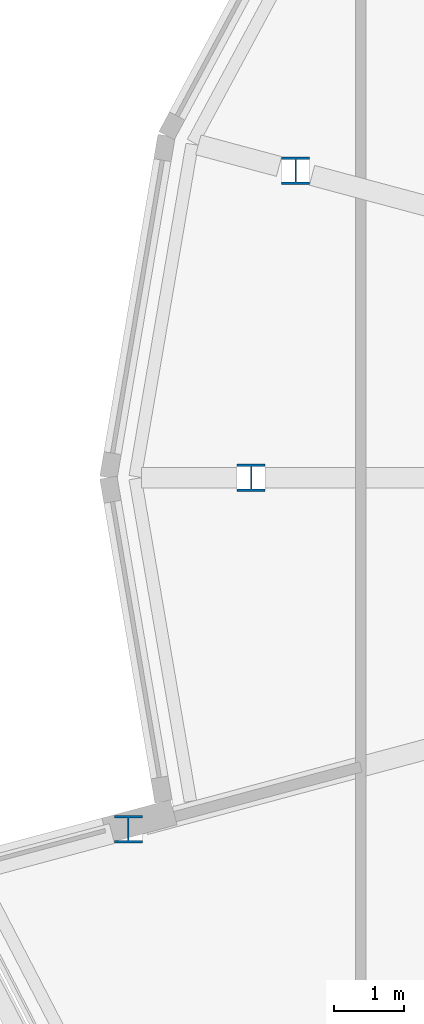
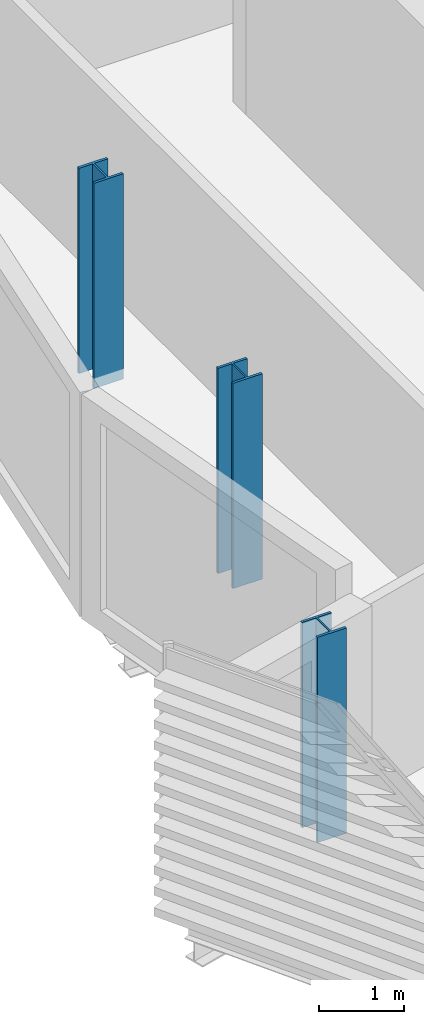
# One storey, part 1 of 37: 3 columns.
"""IFC4 building model written with IfcOpenShell, lengths in metres."""

import ifcopenshell
import ifcopenshell.guid

model = None  # the IFC model being written
_history = None  # IfcOwnerHistory: only IFC2X3 demands one
_inside = {}  # id of a spatial element -> (the spatial element, [elements in it])
_under = {}  # id of a project, library or spatial element -> (it, [spatial elements below it])
_declared = {}  # id of a project -> (the project, [libraries it declares])
_typed = {}  # id of a type object -> (the type object, [elements of that type])
_made_of = {}  # id of a material, layer set ... -> (it, [elements and type objects made of it])


def new_model(schema):
    """Start an empty IFC model of exactly this schema.

    Asked for "IFC4X3", IfcOpenShell would pick the latest addendum, in which some entities
    have other attributes; the version numbers below select the first issue.
    IFC2X3 requires an IfcOwnerHistory on every rooted entity: one is made here for all.
    """
    global model, _history
    if schema == "IFC4X3":
        model = ifcopenshell.file(schema_version=(4, 3, 0, 0))
    else:
        model = ifcopenshell.file(schema=schema)
    _inside.clear()
    _under.clear()
    _declared.clear()
    _typed.clear()
    _made_of.clear()
    _history = None
    if model.schema == "IFC2X3":
        org = make("IfcOrganization", Name="unknown")
        user = make(
            "IfcPersonAndOrganization",
            ThePerson=make("IfcPerson", FamilyName="unknown"),
            TheOrganization=org,
        )
        app = make(
            "IfcApplication",
            ApplicationDeveloper=org,
            Version="unknown",
            ApplicationFullName="unknown",
            ApplicationIdentifier="unknown",
        )
        _history = make(
            "IfcOwnerHistory",
            OwningUser=user,
            OwningApplication=app,
            ChangeAction="ADDED",
            CreationDate=0,
        )
    return model


def make(cls, **values):
    """One entity of the class cls with the attributes given. An attribute that is None is left unset."""
    return model.create_entity(
        cls, **{name: value for name, value in values.items() if value is not None}
    )


def rooted(cls, **values):
    """An entity with a GlobalId (a new one), such as an element, a storey or a relation."""
    return make(cls, GlobalId=ifcopenshell.guid.new(), OwnerHistory=_history, **values)


def si_unit(unit_type, name, prefix=None):
    """IfcSIUnit, for example si_unit("LENGTHUNIT", "METRE", prefix="MILLI")."""
    return make("IfcSIUnit", UnitType=unit_type, Prefix=prefix, Name=name)


def assignment(units):
    """IfcUnitAssignment: the units of a project."""
    return None if units is None else make("IfcUnitAssignment", Units=units)


def point(xyz):
    """IfcCartesianPoint."""
    return None if xyz is None else make("IfcCartesianPoint", Coordinates=xyz)


def direction(xyz):
    """IfcDirection."""
    return None if xyz is None else make("IfcDirection", DirectionRatios=xyz)


def frame(location, z_axis=None, x_axis=None):
    """IfcAxis2Placement3D, a coordinate frame: its origin and axes. An axis left out is left unset."""
    return make(
        "IfcAxis2Placement3D",
        Location=point(location),
        Axis=direction(z_axis),
        RefDirection=direction(x_axis),
    )


def frame_2d(location, x_axis=None):
    """IfcAxis2Placement2D, a coordinate frame in the plane: its origin and x axis."""
    return make(
        "IfcAxis2Placement2D", Location=point(location), RefDirection=direction(x_axis)
    )


def origin():
    """The frame at (0, 0, 0) with its axes left unset."""
    return frame((0.0, 0.0, 0.0))


def origin_2d():
    """The frame at (0, 0) in the plane with its x axis left unset."""
    return frame_2d((0.0, 0.0))


def place(relative_to, where):
    """IfcLocalPlacement: puts the frame where relative to a parent placement (None: the world)."""
    return make(
        "IfcLocalPlacement", PlacementRelTo=relative_to, RelativePlacement=where
    )


def context(
    kind, dimensions, precision=None, world=None, true_north=None, identifier=None
):
    """IfcGeometricRepresentationContext, for example the 3D "Model" context."""
    return make(
        "IfcGeometricRepresentationContext",
        ContextIdentifier=identifier,
        ContextType=kind,
        CoordinateSpaceDimension=dimensions,
        Precision=precision,
        WorldCoordinateSystem=world,
        TrueNorth=true_north,
    )


def subcontext(parent, identifier, kind, view, scale=None):
    """IfcGeometricRepresentationSubContext, for example "Body" below "Model"."""
    return make(
        "IfcGeometricRepresentationSubContext",
        ContextIdentifier=identifier,
        ContextType=kind,
        ParentContext=parent,
        TargetScale=scale,
        TargetView=view,
    )


def project(units=None, contexts=None):
    """IfcProject with its units and contexts."""
    return rooted(
        "IfcProject",
        Name="project",
        RepresentationContexts=contexts,
        UnitsInContext=assignment(units),
    )


def spatial(cls, under=None, at=None, **own):
    """A site, building, storey or space (cls), placed at a placement, below another one or the project."""
    s = rooted(cls, ObjectPlacement=at, **own)
    if under is not None:
        _under.setdefault(under.id(), (under, []))[1].append(s)
    return s


def profile(cls, at=None, kind="AREA", **sizes):
    """A parametric profile (cls). Its sizes go by their IFC names, for example OverallWidth=200.0."""
    return make(cls, ProfileType=kind, Position=at, **sizes)


def i_section(**sizes):
    """IfcIShapeProfileDef."""
    return profile("IfcIShapeProfileDef", **sizes)


def extrude(swept, where, along, depth):
    """IfcExtrudedAreaSolid: the profile swept, set in the frame where, extruded along a direction by depth."""
    return make(
        "IfcExtrudedAreaSolid",
        SweptArea=swept,
        Position=where,
        ExtrudedDirection=direction(along),
        Depth=depth,
    )


def shape(context_of_items, identifier, shape_type, items):
    """IfcShapeRepresentation: the items that make up one representation, for example the "Body"."""
    return make(
        "IfcShapeRepresentation",
        ContextOfItems=context_of_items,
        RepresentationIdentifier=identifier,
        RepresentationType=shape_type,
        Items=items,
    )


def material(Name=None, Category=None):
    """IfcMaterial."""
    return make("IfcMaterial", Name=Name, Category=Category)


def material_profile(
    of_material, cross_section, Name=None, Category=None, Priority=None
):
    """IfcMaterialProfile: a cross section and its material."""
    return make(
        "IfcMaterialProfile",
        Name=Name,
        Material=of_material,
        Profile=cross_section,
        Priority=Priority,
        Category=Category,
    )


def profile_set(profiles, Name=None, composite=None):
    """IfcMaterialProfileSet."""
    return make(
        "IfcMaterialProfileSet",
        Name=Name,
        MaterialProfiles=profiles,
        CompositeProfile=composite,
    )


def made_of(thing, what):
    """Note that an element or type object is made of a material, layer set ...; save() writes the relation."""
    if what is not None:
        _made_of.setdefault(what.id(), (what, []))[1].append(thing)
    return thing


def type_object(cls, material=None, **own):
    """A type object (cls), such as IfcWallType, which elements share."""
    return made_of(rooted(cls, **own), material)


def element(
    cls,
    number,
    at=None,
    inside=None,
    cuts=None,
    type_object=None,
    material=None,
    context=None,
    identifier="Body",
    shape_type=None,
    held_by="IfcProductDefinitionShape",
    body=None,
    shapes=None,
    **own,
):
    """One element of the class cls, such as IfcWall. Its Tag is "e" and its number.

    at: its placement. inside: the storey or other place that contains it. cuts: it is an
    opening in that element (IfcRelVoidsElement). A single representation is given by context,
    identifier, shape_type and body (its items); several are given by shapes. held_by: the class
    of the entity that holds the representations. save() writes the other relations.
    """
    e = rooted(cls, Tag="e%d" % number, ObjectPlacement=at, **own)
    if body is not None:
        shapes = [shape(context, identifier, shape_type, body)]
    if shapes is not None:
        e.Representation = make(held_by, Representations=shapes)
    if inside is not None:
        _inside.setdefault(inside.id(), (inside, []))[1].append(e)
    if cuts is not None:
        rooted(
            "IfcRelVoidsElement", RelatingBuildingElement=cuts, RelatedOpeningElement=e
        )
    if type_object is not None:
        _typed.setdefault(type_object.id(), (type_object, []))[1].append(e)
    return made_of(e, material)


def aggregate(whole, parts):
    """IfcRelAggregates: a whole, such as a stair, and the parts it consists of."""
    return rooted("IfcRelAggregates", RelatingObject=whole, RelatedObjects=parts)


def save(model, path):
    """Write the relations noted so far, then the file.

    IfcRelAggregates (storeys below a building ...), IfcRelContainedInSpatialStructure (elements
    in a storey), IfcRelDefinesByType, IfcRelAssociatesMaterial and IfcRelDeclares: one each for
    every whole, place, type object, material and project.
    """
    for whole, parts in _under.values():
        aggregate(whole, parts)
    for where, things in _inside.values():
        rooted(
            "IfcRelContainedInSpatialStructure",
            RelatedElements=things,
            RelatingStructure=where,
        )
    for kind, things in _typed.values():
        rooted("IfcRelDefinesByType", RelatedObjects=things, RelatingType=kind)
    for what, things in _made_of.values():
        rooted("IfcRelAssociatesMaterial", RelatedObjects=things, RelatingMaterial=what)
    for by, libraries in _declared.values():
        rooted("IfcRelDeclares", RelatingContext=by, RelatedDefinitions=libraries)
    model.write(path)


model = new_model("IFC4")

# Units and contexts
model_context = context("Model", 3, precision=1e-05, world=origin(), true_north=direction((0.0, 1.0)))
body_context = subcontext(model_context, "Body", "Model", "MODEL_VIEW")
ifc_project = project(units=[si_unit("LENGTHUNIT", "METRE"), si_unit("AREAUNIT", "SQUARE_METRE"), si_unit("VOLUMEUNIT", "CUBIC_METRE"), si_unit("PLANEANGLEUNIT", "RADIAN"), si_unit("MASSUNIT", "GRAM", prefix="KILO")], contexts=[model_context])

# Site, building, storey
site_placement = place(None, origin())
site = spatial("IfcSite", under=ifc_project, at=site_placement, CompositionType="ELEMENT")
building_placement = place(site_placement, origin())
building = spatial("IfcBuilding", under=site, at=building_placement, Name="Rimbun Link Towers", CompositionType="ELEMENT")
storey_placement = place(building_placement, frame((0.0, 0.0, 177.89990234375)))
storey = spatial("IfcBuildingStorey", under=building, at=storey_placement, Name="L43", CompositionType="ELEMENT", Elevation=177.89990234375)

# Columns
ifc_material = material(Name="Steel S355J2", Category="steel")
ifc_material_profile = material_profile(ifc_material, i_section(OverallWidth=0.39892578125, OverallDepth=0.3935546875, WebThickness=0.022705078125, FlangeThickness=0.03662109375, at=origin_2d()), Name="UC 356x406x287")
ifc_profile_set = profile_set([ifc_material_profile], Name="Steel S355J2")
column_type = type_object("IfcColumnType", Name="UC 356x406x287", PredefinedType="COLUMN", material=ifc_profile_set)
for number, where, z_axis, x_axis, name in (
    (1, (-48.119140625, 4.385986328125, -0.14990234375), (0.0, 0.0, 1.0), (1.0, 0.0, 0.0), "Crease post T1 L43 11"),
    (2, (-48.7548828125, 0.0, -0.14990234375), (0.0, 0.0, 1.0), (1.0, 0.0, 0.0), "Crease post T1 L43 12"),
    (3, (-50.508544921875, -5.0263671875, -0.14990234375), (0.0, 0.0, 1.0), (1.0, 0.0, 0.0), "Crease post T1 L43 13"),
):
    element("IfcColumn", number, at=place(storey_placement, frame(where, z_axis=z_axis, x_axis=x_axis)), inside=storey, type_object=column_type, Name=name, PredefinedType="COLUMN", context=body_context, shape_type="SweptSolid", body=[
        extrude(i_section(OverallWidth=0.39892578125, OverallDepth=0.3935546875, WebThickness=0.022705078125, FlangeThickness=0.03662109375, at=origin_2d()), origin(), (0.0, 0.0, 1.0), 2.959228515625),
    ])

save(model, "model.ifc")
